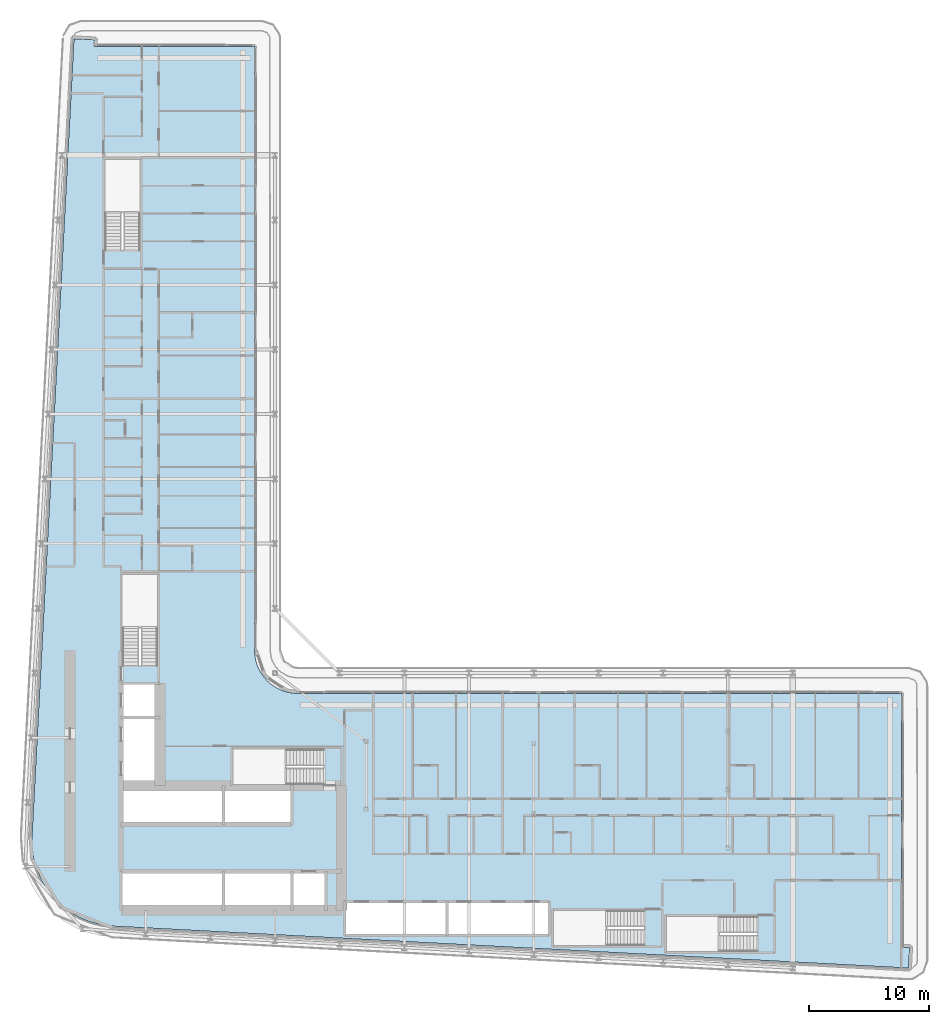
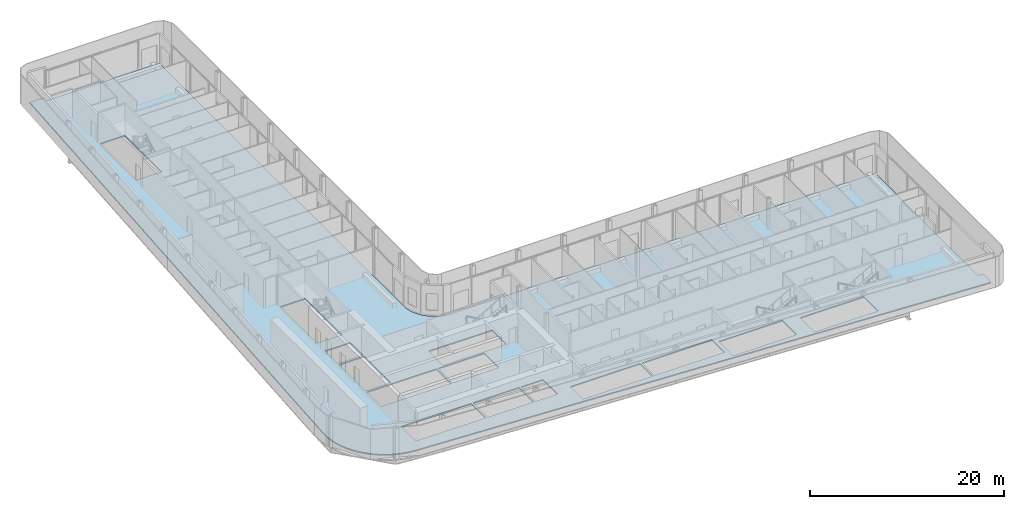
# One storey, part 11 of 29: 1 slab.
"""IFC4 building model written with IfcOpenShell, lengths in metres."""

from ifc_helpers import new_model, si_unit, direction, frame, origin, place, context, subcontext, project, spatial, polyline, outline, extrude, material, layer, layer_set, type_object, element, save


model = new_model("IFC4")

# Units and contexts
model_context = context("Model", 3, precision=1e-05, world=origin(), true_north=direction((0.0, 1.0)))
body_context = subcontext(model_context, "Body", "Model", "MODEL_VIEW")
ifc_project = project(units=[si_unit("LENGTHUNIT", "METRE"), si_unit("AREAUNIT", "SQUARE_METRE"), si_unit("VOLUMEUNIT", "CUBIC_METRE"), si_unit("PLANEANGLEUNIT", "RADIAN"), si_unit("MASSUNIT", "GRAM", prefix="KILO")], contexts=[model_context])

# Site, building, storey
site_placement = place(None, origin())
site = spatial("IfcSite", under=ifc_project, at=site_placement, CompositionType="ELEMENT")
building_placement = place(site_placement, origin())
building = spatial("IfcBuilding", under=site, at=building_placement, Name="Kheshtan School and Residences Tower", CompositionType="ELEMENT")
storey_placement = place(building_placement, frame((0.0, 0.0, 117.5)))
storey = spatial("IfcBuildingStorey", under=building, at=storey_placement, Name="L27", CompositionType="ELEMENT", Elevation=117.5)

# Slab
ifc_material = material(Name="Concrete C40/50", Category="concrete")
ifc_layer = layer(ifc_material, 0.14990234375)
ifc_layer_set = layer_set([ifc_layer], Name="Floor slab 150 Concrete C40/50")
slab_type = type_object("IfcSlabType", Name="Floor slab 150 Concrete C40/50", PredefinedType="FLOOR", material=ifc_layer_set)
slab_placement = place(storey_placement, frame((0.0, 0.0, -0.14990234375)))
element("IfcSlab", 1, at=slab_placement, inside=storey, type_object=slab_type, Name="Floor slab L27", PredefinedType="FLOOR", context=body_context, shape_type="SweptSolid", body=[
    extrude(outline(polyline([(27.718017578125, 29.200927734375), (27.466064453125, 30.093017578125), (27.466064453125, 30.093994140625), (27.3330078125, 31.013916015625), (27.320068359375, 31.965087890625), (27.320068359375, 31.970947265625), (30.822021484375, 98.5009765625), (30.822998046875, 98.508056640625), (30.825927734375, 98.531005859375), (30.825927734375, 98.531982421875), (30.826904296875, 98.531982421875), (31.422119140625, 98.5), (31.423095703125, 98.5), (31.423095703125, 98.4990234375), (31.423095703125, 98.4951171875), (31.423095703125, 98.493896484375), (31.424072265625, 98.493896484375), (31.424072265625, 98.492919921875), (31.425048828125, 98.492919921875), (31.426025390625, 98.492919921875), (31.426025390625, 98.493896484375), (31.427978515625, 98.49609375), (31.428955078125, 98.4970703125), (31.429931640625, 98.498046875), (31.430908203125, 98.498046875), (31.430908203125, 98.4990234375), (31.431884765625, 98.4990234375), (31.431884765625, 98.5), (31.43505859375, 98.5009765625), (31.43603515625, 98.501953125), (31.43896484375, 98.501953125), (31.43994140625, 98.501953125), (31.43994140625, 98.5029296875), (31.44091796875, 98.5029296875), (31.446044921875, 98.5029296875), (32.5009765625, 98.447021484375), (32.50390625, 98.447021484375), (32.5048828125, 98.447021484375), (32.5048828125, 98.446044921875), (32.506103515625, 98.446044921875), (32.510009765625, 98.446044921875), (32.510009765625, 98.445068359375), (32.510986328125, 98.445068359375), (32.510986328125, 98.444091796875), (32.511962890625, 98.444091796875), (32.511962890625, 98.443115234375), (32.512939453125, 98.443115234375), (32.513916015625, 98.443115234375), (32.513916015625, 98.44189453125), (32.514892578125, 98.44189453125), (32.51611328125, 98.44189453125), (32.51904296875, 98.43896484375), (32.51904296875, 98.43798828125), (32.51904296875, 98.43701171875), (32.52001953125, 98.43701171875), (32.52001953125, 98.43603515625), (32.52099609375, 98.43603515625), (32.52099609375, 98.43408203125), (32.52099609375, 98.43310546875), (32.52197265625, 98.43310546875), (32.52197265625, 98.431884765625), (32.52294921875, 98.431884765625), (32.52294921875, 98.430908203125), (32.52294921875, 98.428955078125), (32.52294921875, 98.427978515625), (32.52392578125, 98.427978515625), (32.52392578125, 98.427001953125), (32.52392578125, 98.422119140625), (32.4970703125, 97.9208984375), (32.4970703125, 97.91796875), (32.4970703125, 97.9169921875), (32.49609375, 97.9169921875), (32.49609375, 97.916015625), (32.49609375, 97.912109375), (32.4951171875, 97.910888671875), (32.4951171875, 97.909912109375), (32.493896484375, 97.909912109375), (32.493896484375, 97.908935546875), (32.492919921875, 97.908935546875), (32.492919921875, 97.907958984375), (32.489013671875, 97.904052734375), (32.488037109375, 97.904052734375), (32.488037109375, 97.903076171875), (32.488037109375, 97.902099609375), (32.488037109375, 97.90087890625), (32.489013671875, 97.90087890625), (32.489013671875, 97.89990234375), (32.489990234375, 97.89990234375), (45.85498046875, 97.89990234375), (45.864990234375, 97.89794921875), (45.865966796875, 97.89794921875), (45.868896484375, 97.89599609375), (45.8740234375, 97.89404296875), (45.8779296875, 97.89208984375), (45.881103515625, 97.889892578125), (45.881103515625, 97.888916015625), (45.882080078125, 97.888916015625), (45.882080078125, 97.887939453125), (45.883056640625, 97.887939453125), (45.884033203125, 97.885009765625), (45.885009765625, 97.885009765625), (45.885009765625, 97.884033203125), (45.887939453125, 97.883056640625), (45.887939453125, 97.882080078125), (45.888916015625, 97.882080078125), (45.888916015625, 97.881103515625), (45.889892578125, 97.881103515625), (45.89208984375, 97.8779296875), (45.89404296875, 97.8740234375), (45.89599609375, 97.868896484375), (45.89794921875, 97.865966796875), (45.89794921875, 97.864990234375), (45.89990234375, 97.85498046875), (45.89990234375, 47.429931640625), (45.927001953125, 47.030029296875), (46.01806640625, 46.570068359375), (46.01806640625, 46.569091796875), (46.169921875, 46.1201171875), (46.37890625, 45.697021484375), (46.638916015625, 45.30810546875), (46.949951171875, 44.950927734375), (46.950927734375, 44.949951171875), (47.30810546875, 44.638916015625), (47.697021484375, 44.37890625), (48.1201171875, 44.169921875), (48.569091796875, 44.01806640625), (48.570068359375, 44.01806640625), (49.030029296875, 43.927001953125), (49.429931640625, 43.89990234375), (99.85498046875, 43.89990234375), (99.864990234375, 43.89794921875), (99.865966796875, 43.89794921875), (99.868896484375, 43.89599609375), (99.8740234375, 43.89404296875), (99.8779296875, 43.89208984375), (99.881103515625, 43.889892578125), (99.881103515625, 43.888916015625), (99.882080078125, 43.888916015625), (99.882080078125, 43.887939453125), (99.883056640625, 43.887939453125), (99.884033203125, 43.885009765625), (99.885009765625, 43.885009765625), (99.885009765625, 43.884033203125), (99.887939453125, 43.883056640625), (99.887939453125, 43.882080078125), (99.888916015625, 43.882080078125), (99.888916015625, 43.881103515625), (99.889892578125, 43.881103515625), (99.89208984375, 43.8779296875), (99.89404296875, 43.8740234375), (99.89599609375, 43.868896484375), (99.89794921875, 43.865966796875), (99.89794921875, 43.864990234375), (99.89990234375, 43.85498046875), (99.89990234375, 22.708984375), (99.89990234375, 22.7080078125), (99.90087890625, 22.7080078125), (99.90087890625, 22.70703125), (99.902099609375, 22.70703125), (99.903076171875, 22.70703125), (99.903076171875, 22.7080078125), (99.905029296875, 22.7099609375), (99.906982421875, 22.7119140625), (99.907958984375, 22.7119140625), (99.907958984375, 22.712890625), (99.908935546875, 22.712890625), (99.908935546875, 22.714111328125), (99.909912109375, 22.714111328125), (99.912109375, 22.715087890625), (99.9130859375, 22.716064453125), (99.916015625, 22.716064453125), (99.9169921875, 22.716064453125), (99.9169921875, 22.717041015625), (99.91796875, 22.717041015625), (99.923095703125, 22.717041015625), (100.5380859375, 22.68408203125), (100.541015625, 22.68408203125), (100.5419921875, 22.68408203125), (100.5419921875, 22.68310546875), (100.54296875, 22.68310546875), (100.547119140625, 22.68310546875), (100.547119140625, 22.681884765625), (100.548095703125, 22.681884765625), (100.548095703125, 22.680908203125), (100.549072265625, 22.680908203125), (100.549072265625, 22.679931640625), (100.550048828125, 22.679931640625), (100.551025390625, 22.679931640625), (100.551025390625, 22.678955078125), (100.552001953125, 22.678955078125), (100.552978515625, 22.678955078125), (100.552978515625, 22.677978515625), (100.554931640625, 22.676025390625), (100.555908203125, 22.676025390625), (100.555908203125, 22.675048828125), (100.555908203125, 22.674072265625), (100.556884765625, 22.674072265625), (100.556884765625, 22.673095703125), (100.55810546875, 22.673095703125), (100.55810546875, 22.6708984375), (100.55810546875, 22.669921875), (100.55908203125, 22.669921875), (100.55908203125, 22.6689453125), (100.56005859375, 22.6689453125), (100.56005859375, 22.66796875), (100.56005859375, 22.666015625), (100.56005859375, 22.6650390625), (100.56103515625, 22.6650390625), (100.56103515625, 22.6640625), (100.56103515625, 22.658935546875), (100.5048828125, 21.60205078125), (100.5048828125, 21.59912109375), (100.5048828125, 21.597900390625), (100.50390625, 21.597900390625), (100.50390625, 21.596923828125), (100.50390625, 21.593017578125), (100.5029296875, 21.592041015625), (100.5029296875, 21.591064453125), (100.501953125, 21.591064453125), (100.501953125, 21.590087890625), (100.5009765625, 21.590087890625), (100.5009765625, 21.589111328125), (100.5, 21.587890625), (100.498046875, 21.5859375), (100.4970703125, 21.5849609375), (100.49609375, 21.5849609375), (100.49609375, 21.583984375), (100.49609375, 21.5830078125), (100.49609375, 21.58203125), (100.4970703125, 21.58203125), (100.4970703125, 21.5810546875), (100.498046875, 21.5810546875), (100.4990234375, 21.5810546875), (100.5, 21.5810546875), (100.5, 21.580078125), (100.468017578125, 20.985107421875), (100.468017578125, 20.98388671875), (100.467041015625, 20.98388671875), (100.443115234375, 20.98291015625), (100.43798828125, 20.98291015625), (34.056884765625, 24.47802734375), (33.114990234375, 24.590087890625), (32.215087890625, 24.819091796875), (32.214111328125, 24.819091796875), (31.35205078125, 25.1630859375), (30.541015625, 25.616943359375), (29.799072265625, 26.1708984375), (29.799072265625, 26.172119140625), (29.798095703125, 26.172119140625), (29.134033203125, 26.820068359375), (29.134033203125, 26.821044921875), (29.133056640625, 26.821044921875), (28.55908203125, 27.550048828125), (28.0849609375, 28.345947265625), (27.718017578125, 29.200927734375)]), holes=[polyline([(99.89990234375, 21.5869140625), (99.89990234375, 21.5830078125), (99.89990234375, 21.58203125), (99.90087890625, 21.58203125), (99.90087890625, 21.5810546875), (99.902099609375, 21.5810546875), (99.906005859375, 21.5810546875), (99.906982421875, 21.5810546875), (99.906982421875, 21.58203125), (99.907958984375, 21.58203125), (99.907958984375, 21.5830078125), (99.907958984375, 21.583984375), (99.906982421875, 21.583984375), (99.905029296875, 21.5859375), (99.904052734375, 21.5869140625), (99.903076171875, 21.587890625), (99.903076171875, 21.589111328125), (99.902099609375, 21.589111328125), (99.90087890625, 21.589111328125), (99.90087890625, 21.587890625), (99.89990234375, 21.587890625), (99.89990234375, 21.5869140625)]), polyline([(31.423095703125, 97.906005859375), (31.423095703125, 97.902099609375), (31.423095703125, 97.90087890625), (31.424072265625, 97.90087890625), (31.424072265625, 97.89990234375), (31.425048828125, 97.89990234375), (31.428955078125, 97.89990234375), (31.429931640625, 97.89990234375), (31.429931640625, 97.90087890625), (31.430908203125, 97.90087890625), (31.430908203125, 97.902099609375), (31.430908203125, 97.903076171875), (31.429931640625, 97.903076171875), (31.428955078125, 97.904052734375), (31.427978515625, 97.905029296875), (31.427001953125, 97.906005859375), (31.426025390625, 97.906982421875), (31.426025390625, 97.907958984375), (31.425048828125, 97.907958984375), (31.424072265625, 97.907958984375), (31.424072265625, 97.906982421875), (31.423095703125, 97.906982421875), (31.423095703125, 97.906005859375)]), polyline([(34.875, 28.925048828125), (34.875, 25.925048828125), (43.175048828125, 25.925048828125), (43.175048828125, 28.925048828125), (34.875, 28.925048828125)]), polyline([(43.425048828125, 25.925048828125), (48.875, 25.925048828125), (48.875, 28.925048828125), (43.425048828125, 28.925048828125), (43.425048828125, 25.925048828125)]), polyline([(43.175048828125, 36.074951171875), (34.875, 36.074951171875), (34.875, 33.074951171875), (43.175048828125, 33.074951171875), (43.175048828125, 36.074951171875)]), polyline([(34.875, 41.77490234375), (34.875, 36.324951171875), (37.875, 36.324951171875), (37.875, 41.77490234375), (34.875, 41.77490234375)]), polyline([(34.875, 44.625), (34.875, 42.02490234375), (37.875, 42.02490234375), (37.875, 44.625), (34.875, 44.625)]), polyline([(37.800048828125, 46.25), (37.800048828125, 53.81005859375), (34.85009765625, 53.81005859375), (34.85009765625, 46.260009765625), (36.25, 46.260009765625), (36.25, 46.25), (37.800048828125, 46.25)]), polyline([(33.39990234375, 88.4599609375), (33.39990234375, 80.909912109375), (34.800048828125, 80.909912109375), (34.800048828125, 80.89990234375), (36.35009765625, 80.89990234375), (36.35009765625, 88.4599609375), (33.39990234375, 88.4599609375)]), polyline([(87.81005859375, 22.35009765625), (87.81005859375, 23.75), (87.820068359375, 23.75), (87.820068359375, 25.300048828125), (80.260009765625, 25.300048828125), (80.260009765625, 22.35009765625), (87.81005859375, 22.35009765625)]), polyline([(70.85009765625, 22.85009765625), (78.39990234375, 22.85009765625), (78.39990234375, 24.25), (78.409912109375, 24.25), (78.409912109375, 25.800048828125), (70.85009765625, 25.800048828125), (70.85009765625, 22.85009765625)]), polyline([(61.824951171875, 26.425048828125), (53.52490234375, 26.425048828125), (53.52490234375, 23.824951171875), (61.824951171875, 23.824951171875), (61.824951171875, 26.425048828125)]), polyline([(62.074951171875, 23.824951171875), (70.375, 23.824951171875), (70.375, 26.425048828125), (62.074951171875, 26.425048828125), (62.074951171875, 23.824951171875)]), polyline([(49.125, 28.925048828125), (49.125, 25.925048828125), (51.72509765625, 25.925048828125), (51.72509765625, 28.925048828125), (49.125, 28.925048828125)]), polyline([(43.425048828125, 33.074951171875), (48.875, 33.074951171875), (48.875, 36.074951171875), (43.425048828125, 36.074951171875), (43.425048828125, 33.074951171875)]), polyline([(51.64990234375, 39.25), (44.090087890625, 39.25), (44.090087890625, 36.300048828125), (51.639892578125, 36.300048828125), (51.639892578125, 37.699951171875), (51.64990234375, 37.699951171875), (51.64990234375, 39.25)])]), origin(), (0.0, 0.0, 1.0), 0.14990234375),
])

save(model, "model.ifc")
